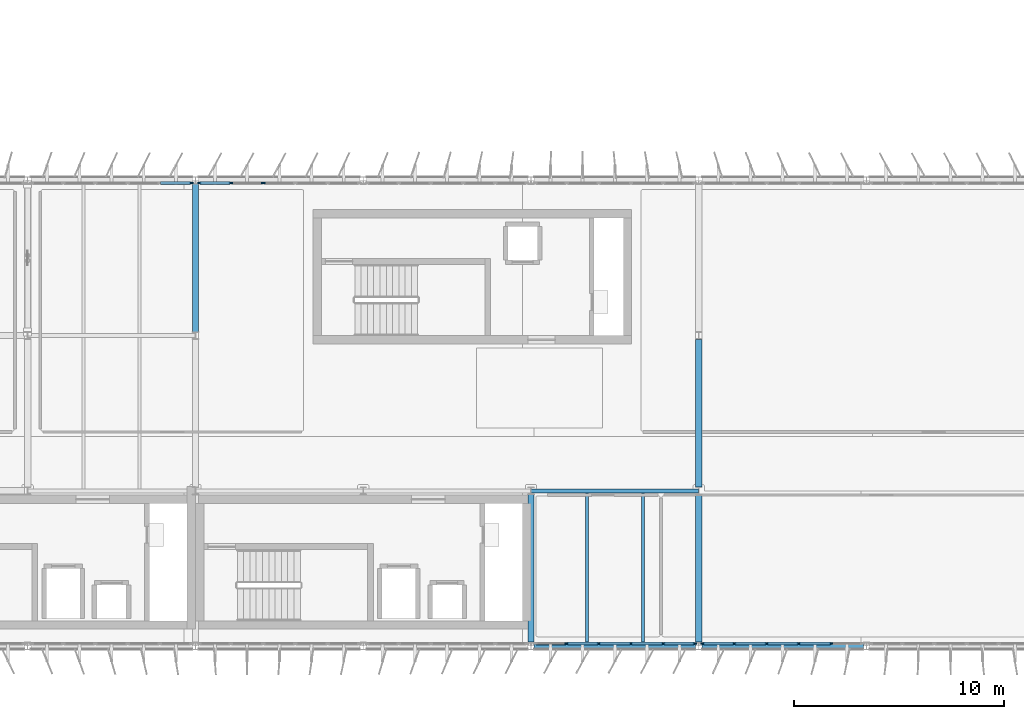
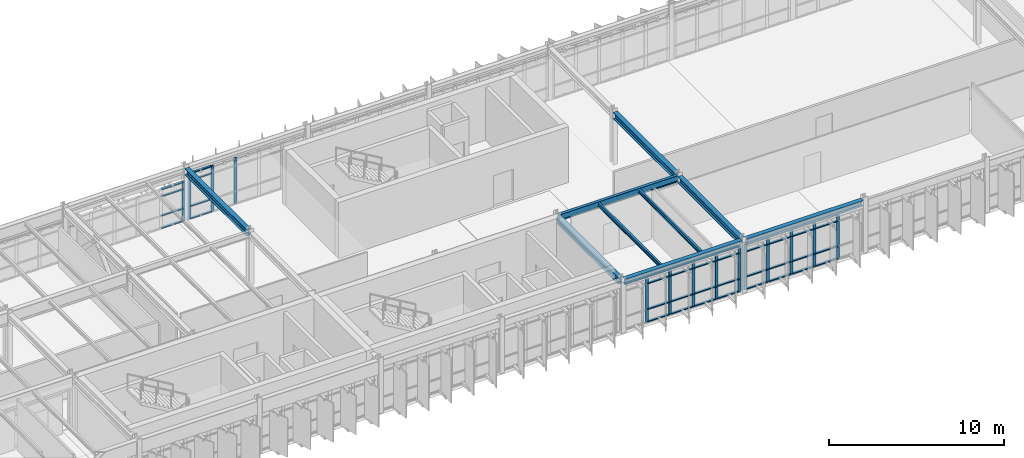
# One storey, part 12 of 45: 55 members, 9 beams, 4 elements without a shape of their own.
"""IFC4 building model written with IfcOpenShell, lengths in metres."""

import ifcopenshell
import ifcopenshell.guid

model = None  # the IFC model being written
_history = None  # IfcOwnerHistory: only IFC2X3 demands one
_inside = {}  # id of a spatial element -> (the spatial element, [elements in it])
_under = {}  # id of a project, library or spatial element -> (it, [spatial elements below it])
_declared = {}  # id of a project -> (the project, [libraries it declares])
_typed = {}  # id of a type object -> (the type object, [elements of that type])
_made_of = {}  # id of a material, layer set ... -> (it, [elements and type objects made of it])


def new_model(schema):
    """Start an empty IFC model of exactly this schema.

    Asked for "IFC4X3", IfcOpenShell would pick the latest addendum, in which some entities
    have other attributes; the version numbers below select the first issue.
    IFC2X3 requires an IfcOwnerHistory on every rooted entity: one is made here for all.
    """
    global model, _history
    if schema == "IFC4X3":
        model = ifcopenshell.file(schema_version=(4, 3, 0, 0))
    else:
        model = ifcopenshell.file(schema=schema)
    _inside.clear()
    _under.clear()
    _declared.clear()
    _typed.clear()
    _made_of.clear()
    _history = None
    if model.schema == "IFC2X3":
        org = make("IfcOrganization", Name="unknown")
        user = make(
            "IfcPersonAndOrganization",
            ThePerson=make("IfcPerson", FamilyName="unknown"),
            TheOrganization=org,
        )
        app = make(
            "IfcApplication",
            ApplicationDeveloper=org,
            Version="unknown",
            ApplicationFullName="unknown",
            ApplicationIdentifier="unknown",
        )
        _history = make(
            "IfcOwnerHistory",
            OwningUser=user,
            OwningApplication=app,
            ChangeAction="ADDED",
            CreationDate=0,
        )
    return model


def make(cls, **values):
    """One entity of the class cls with the attributes given. An attribute that is None is left unset."""
    return model.create_entity(
        cls, **{name: value for name, value in values.items() if value is not None}
    )


def rooted(cls, **values):
    """An entity with a GlobalId (a new one), such as an element, a storey or a relation."""
    return make(cls, GlobalId=ifcopenshell.guid.new(), OwnerHistory=_history, **values)


def si_unit(unit_type, name, prefix=None):
    """IfcSIUnit, for example si_unit("LENGTHUNIT", "METRE", prefix="MILLI")."""
    return make("IfcSIUnit", UnitType=unit_type, Prefix=prefix, Name=name)


def assignment(units):
    """IfcUnitAssignment: the units of a project."""
    return None if units is None else make("IfcUnitAssignment", Units=units)


def point(xyz):
    """IfcCartesianPoint."""
    return None if xyz is None else make("IfcCartesianPoint", Coordinates=xyz)


def direction(xyz):
    """IfcDirection."""
    return None if xyz is None else make("IfcDirection", DirectionRatios=xyz)


def frame(location, z_axis=None, x_axis=None):
    """IfcAxis2Placement3D, a coordinate frame: its origin and axes. An axis left out is left unset."""
    return make(
        "IfcAxis2Placement3D",
        Location=point(location),
        Axis=direction(z_axis),
        RefDirection=direction(x_axis),
    )


def frame_2d(location, x_axis=None):
    """IfcAxis2Placement2D, a coordinate frame in the plane: its origin and x axis."""
    return make(
        "IfcAxis2Placement2D", Location=point(location), RefDirection=direction(x_axis)
    )


def origin():
    """The frame at (0, 0, 0) with its axes left unset."""
    return frame((0.0, 0.0, 0.0))


def origin_2d():
    """The frame at (0, 0) in the plane with its x axis left unset."""
    return frame_2d((0.0, 0.0))


def place(relative_to, where):
    """IfcLocalPlacement: puts the frame where relative to a parent placement (None: the world)."""
    return make(
        "IfcLocalPlacement", PlacementRelTo=relative_to, RelativePlacement=where
    )


def context(
    kind, dimensions, precision=None, world=None, true_north=None, identifier=None
):
    """IfcGeometricRepresentationContext, for example the 3D "Model" context."""
    return make(
        "IfcGeometricRepresentationContext",
        ContextIdentifier=identifier,
        ContextType=kind,
        CoordinateSpaceDimension=dimensions,
        Precision=precision,
        WorldCoordinateSystem=world,
        TrueNorth=true_north,
    )


def subcontext(parent, identifier, kind, view, scale=None):
    """IfcGeometricRepresentationSubContext, for example "Body" below "Model"."""
    return make(
        "IfcGeometricRepresentationSubContext",
        ContextIdentifier=identifier,
        ContextType=kind,
        ParentContext=parent,
        TargetScale=scale,
        TargetView=view,
    )


def project(units=None, contexts=None):
    """IfcProject with its units and contexts."""
    return rooted(
        "IfcProject",
        Name="project",
        RepresentationContexts=contexts,
        UnitsInContext=assignment(units),
    )


def spatial(cls, under=None, at=None, **own):
    """A site, building, storey or space (cls), placed at a placement, below another one or the project."""
    s = rooted(cls, ObjectPlacement=at, **own)
    if under is not None:
        _under.setdefault(under.id(), (under, []))[1].append(s)
    return s


def profile(cls, at=None, kind="AREA", **sizes):
    """A parametric profile (cls). Its sizes go by their IFC names, for example OverallWidth=200.0."""
    return make(cls, ProfileType=kind, Position=at, **sizes)


def rectangle(**sizes):
    """IfcRectangleProfileDef."""
    return profile("IfcRectangleProfileDef", **sizes)


def i_section(**sizes):
    """IfcIShapeProfileDef."""
    return profile("IfcIShapeProfileDef", **sizes)


def extrude(swept, where, along, depth):
    """IfcExtrudedAreaSolid: the profile swept, set in the frame where, extruded along a direction by depth."""
    return make(
        "IfcExtrudedAreaSolid",
        SweptArea=swept,
        Position=where,
        ExtrudedDirection=direction(along),
        Depth=depth,
    )


def shape(context_of_items, identifier, shape_type, items):
    """IfcShapeRepresentation: the items that make up one representation, for example the "Body"."""
    return make(
        "IfcShapeRepresentation",
        ContextOfItems=context_of_items,
        RepresentationIdentifier=identifier,
        RepresentationType=shape_type,
        Items=items,
    )


def material(Name=None, Category=None):
    """IfcMaterial."""
    return make("IfcMaterial", Name=Name, Category=Category)


def layer(
    of_material, thickness, ventilated=None, Name=None, Category=None, Priority=None
):
    """IfcMaterialLayer: one layer of a wall or slab, of a material (None: an air gap)."""
    return make(
        "IfcMaterialLayer",
        Material=of_material,
        LayerThickness=thickness,
        IsVentilated=ventilated,
        Name=Name,
        Category=Category,
        Priority=Priority,
    )


def layer_set(layers, Name=None):
    """IfcMaterialLayerSet."""
    return make("IfcMaterialLayerSet", MaterialLayers=layers, LayerSetName=Name)


def material_profile(
    of_material, cross_section, Name=None, Category=None, Priority=None
):
    """IfcMaterialProfile: a cross section and its material."""
    return make(
        "IfcMaterialProfile",
        Name=Name,
        Material=of_material,
        Profile=cross_section,
        Priority=Priority,
        Category=Category,
    )


def profile_set(profiles, Name=None, composite=None):
    """IfcMaterialProfileSet."""
    return make(
        "IfcMaterialProfileSet",
        Name=Name,
        MaterialProfiles=profiles,
        CompositeProfile=composite,
    )


def made_of(thing, what):
    """Note that an element or type object is made of a material, layer set ...; save() writes the relation."""
    if what is not None:
        _made_of.setdefault(what.id(), (what, []))[1].append(thing)
    return thing


def type_object(cls, material=None, **own):
    """A type object (cls), such as IfcWallType, which elements share."""
    return made_of(rooted(cls, **own), material)


def element(
    cls,
    number,
    at=None,
    inside=None,
    cuts=None,
    type_object=None,
    material=None,
    context=None,
    identifier="Body",
    shape_type=None,
    held_by="IfcProductDefinitionShape",
    body=None,
    shapes=None,
    **own,
):
    """One element of the class cls, such as IfcWall. Its Tag is "e" and its number.

    at: its placement. inside: the storey or other place that contains it. cuts: it is an
    opening in that element (IfcRelVoidsElement). A single representation is given by context,
    identifier, shape_type and body (its items); several are given by shapes. held_by: the class
    of the entity that holds the representations. save() writes the other relations.
    """
    e = rooted(cls, Tag="e%d" % number, ObjectPlacement=at, **own)
    if body is not None:
        shapes = [shape(context, identifier, shape_type, body)]
    if shapes is not None:
        e.Representation = make(held_by, Representations=shapes)
    if inside is not None:
        _inside.setdefault(inside.id(), (inside, []))[1].append(e)
    if cuts is not None:
        rooted(
            "IfcRelVoidsElement", RelatingBuildingElement=cuts, RelatedOpeningElement=e
        )
    if type_object is not None:
        _typed.setdefault(type_object.id(), (type_object, []))[1].append(e)
    return made_of(e, material)


def aggregate(whole, parts):
    """IfcRelAggregates: a whole, such as a stair, and the parts it consists of."""
    return rooted("IfcRelAggregates", RelatingObject=whole, RelatedObjects=parts)


def save(model, path):
    """Write the relations noted so far, then the file.

    IfcRelAggregates (storeys below a building ...), IfcRelContainedInSpatialStructure (elements
    in a storey), IfcRelDefinesByType, IfcRelAssociatesMaterial and IfcRelDeclares: one each for
    every whole, place, type object, material and project.
    """
    for whole, parts in _under.values():
        aggregate(whole, parts)
    for where, things in _inside.values():
        rooted(
            "IfcRelContainedInSpatialStructure",
            RelatedElements=things,
            RelatingStructure=where,
        )
    for kind, things in _typed.values():
        rooted("IfcRelDefinesByType", RelatedObjects=things, RelatingType=kind)
    for what, things in _made_of.values():
        rooted("IfcRelAssociatesMaterial", RelatedObjects=things, RelatingMaterial=what)
    for by, libraries in _declared.values():
        rooted("IfcRelDeclares", RelatingContext=by, RelatedDefinitions=libraries)
    model.write(path)


model = new_model("IFC4")

# Units and contexts
model_context = context("Model", 3, precision=1e-05, world=origin(), true_north=direction((0.0, 1.0)))
body_context = subcontext(model_context, "Body", "Model", "MODEL_VIEW")
ifc_project = project(units=[si_unit("LENGTHUNIT", "METRE"), si_unit("AREAUNIT", "SQUARE_METRE"), si_unit("VOLUMEUNIT", "CUBIC_METRE"), si_unit("PLANEANGLEUNIT", "RADIAN"), si_unit("MASSUNIT", "GRAM", prefix="KILO")], contexts=[model_context])

# Site, building, storey
site_placement = place(None, origin())
site = spatial("IfcSite", under=ifc_project, at=site_placement, CompositionType="ELEMENT")
building_placement = place(site_placement, origin())
building = spatial("IfcBuilding", under=site, at=building_placement, Name="Valkorina Park Police Headquarters", CompositionType="ELEMENT")
storey_placement = place(building_placement, frame((0.0, 0.0, 23.300048828125)))
storey = spatial("IfcBuildingStorey", under=building, at=storey_placement, Name="L06", CompositionType="ELEMENT", Elevation=23.300048828125)

# Beams
ifc_material_1 = material(Name="Steel S355", Category="steel")
ifc_material_profile_1 = material_profile(ifc_material_1, i_section(OverallWidth=0.300048828125, OverallDepth=0.389892578125, WebThickness=0.010986328125, FlangeThickness=0.01904296875, FilletRadius=0.027099609375, at=origin_2d()), Name="HEA 400")
ifc_profile_set_1 = profile_set([ifc_material_profile_1], Name="Steel S355")
beam_type_1 = type_object("IfcBeamType", Name="BM-S355-HEA400-SPN", PredefinedType="SPANDREL", material=ifc_profile_set_1)
for number, where, z_axis, x_axis, name in (
    (1, (48.949951171875, 37.0, 3.48486328125), (1.0, 0.0, 0.0), (0.0, 1.0, 0.0), "L06 Framing Beam 2608"),
    (2, (56.949951171875, 37.0, 3.48486328125), (1.0, 0.0, 0.0), (0.0, 1.0, 0.0), "L06 Framing Beam 2609"),
):
    element("IfcBeam", number, at=place(storey_placement, frame(where, z_axis=z_axis, x_axis=x_axis)), inside=storey, type_object=beam_type_1, Name=name, PredefinedType="SPANDREL", context=body_context, shape_type="SweptSolid", body=[
        extrude(i_section(OverallWidth=0.300048828125, OverallDepth=0.389892578125, WebThickness=0.010986328125, FlangeThickness=0.01904296875, FilletRadius=0.027099609375, at=origin_2d()), origin(), (0.0, 0.0, 1.0), 7.699951171875),
    ])
ifc_material_profile_2 = material_profile(ifc_material_1, i_section(OverallWidth=0.300048828125, OverallDepth=0.449951171875, WebThickness=0.013916015625, FlangeThickness=0.02587890625, FilletRadius=0.027099609375, at=origin_2d()), Name="HEB 450")
ifc_profile_set_2 = profile_set([ifc_material_profile_2], Name="Steel S355")
beam_type_2 = type_object("IfcBeamType", Name="BM-S355-HEB450-BM", PredefinedType="BEAM", material=ifc_profile_set_2)
for number, where, z_axis, x_axis, name in (
    (3, (32.800048828125, 51.97998046875, 3.454833984375), (0.0, 1.0, 0.0), (-1.0, 0.0, 0.0), "L06 Framing Beam 2688"),
    (4, (48.800048828125, 37.179931640625, 3.454833984375), (0.0, 1.0, 0.0), (-1.0, 0.0, 0.0), "L06 Framing Beam 2689"),
    (5, (56.800048828125, 37.179931640625, 3.454833984375), (0.0, 1.0, 0.0), (-1.0, 0.0, 0.0), "L06 Framing Beam 2692"),
    (6, (56.800048828125, 44.580078125, 3.454833984375), (0.0, 1.0, 0.0), (-1.0, 0.0, 0.0), "L06 Framing Beam 2693"),
):
    element("IfcBeam", number, at=place(storey_placement, frame(where, z_axis=z_axis, x_axis=x_axis)), inside=storey, type_object=beam_type_2, Name=name, PredefinedType="BEAM", context=body_context, shape_type="SweptSolid", body=[
        extrude(i_section(OverallWidth=0.300048828125, OverallDepth=0.449951171875, WebThickness=0.013916015625, FlangeThickness=0.02587890625, FilletRadius=0.027099609375, at=origin_2d()), origin(), (0.0, 0.0, 1.0), 7.0400390625),
    ])
ifc_material_profile_3 = material_profile(ifc_material_1, i_section(OverallWidth=0.135009765625, OverallDepth=0.27001953125, WebThickness=0.006591796875, FlangeThickness=0.01025390625, FilletRadius=0.014892578125, at=origin_2d()), Name="IPE 270")
ifc_profile_set_3 = profile_set([ifc_material_profile_3], Name="Steel S355")
beam_type_3 = type_object("IfcBeamType", Name="BM-S355-IPE270-JST", PredefinedType="JOIST", material=ifc_profile_set_3)
for number, where, z_axis, x_axis, name in (
    (7, (51.466796875, 37.14990234375, 3.544921875), (0.0, 1.0, 0.0), (-1.0, 0.0, 0.0), "L06 Framing Beam 2690"),
    (8, (54.13330078125, 37.14990234375, 3.544921875), (0.0, 1.0, 0.0), (-1.0, 0.0, 0.0), "L06 Framing Beam 2691"),
):
    element("IfcBeam", number, at=place(storey_placement, frame(where, z_axis=z_axis, x_axis=x_axis)), inside=storey, type_object=beam_type_3, Name=name, PredefinedType="JOIST", context=body_context, shape_type="SweptSolid", body=[
        extrude(i_section(OverallWidth=0.135009765625, OverallDepth=0.27001953125, WebThickness=0.006591796875, FlangeThickness=0.01025390625, FilletRadius=0.014892578125, at=origin_2d()), origin(), (0.0, 0.0, 1.0), 7.155029296875),
    ])
ifc_material_profile_4 = material_profile(ifc_material_1, i_section(OverallWidth=0.18994140625, OverallDepth=0.449951171875, WebThickness=0.009521484375, FlangeThickness=0.0146484375, FilletRadius=0.02099609375, at=origin_2d()), Name="IPE 450")
ifc_profile_set_4 = profile_set([ifc_material_profile_4], Name="Steel S355")
beam_type_4 = type_object("IfcBeamType", Name="BM-S355-IPE450-BM", PredefinedType="BEAM", material=ifc_profile_set_4)
beam_placement = place(storey_placement, frame((48.806396484375, 44.39990234375, 3.454833984375), z_axis=(1.0, 0.0, 0.0), x_axis=(0.0, 1.0, 0.0)))
element("IfcBeam", 9, at=beam_placement, inside=storey, type_object=beam_type_4, Name="L06 Framing Beam 2620", PredefinedType="BEAM", context=body_context, shape_type="SweptSolid", body=[
    extrude(i_section(OverallWidth=0.18994140625, OverallDepth=0.449951171875, WebThickness=0.009521484375, FlangeThickness=0.0146484375, FilletRadius=0.02099609375, at=origin_2d()), origin(), (0.0, 0.0, 1.0), 7.9873046875),
])

# Curtain wall, member
ifc_material_2 = material(Name="Thermally broken aluminium AW-6060", Category="aluminium")
ifc_layer_1 = layer(ifc_material_2, 0.18994140625)
ifc_layer_set_1 = layer_set([ifc_layer_1], Name="Thermally broken aluminium AW-6060")
curtain_wall_type_1 = type_object("IfcCurtainWallType", Name="CW-V5-7680x2770", PredefinedType="NOTDEFINED", material=ifc_layer_set_1)
curtain_wall_1_placement = place(storey_placement, origin())
curtain_wall_1 = element("IfcCurtainWall", 10, at=curtain_wall_1_placement, inside=storey, type_object=curtain_wall_type_1, Name="L06 Unitised Curtain Wall 103", PredefinedType="NOTDEFINED")
ifc_material_profile_5 = material_profile(ifc_material_2, rectangle(XDim=0.070068359375, YDim=0.18994140625, at=origin_2d()), Name="CWM-02 70x190")
ifc_profile_set_5 = profile_set([ifc_material_profile_5], Name="Thermally broken aluminium AW-6060")
member_type_1 = type_object("IfcMemberType", Name="CWM-70x190", PredefinedType="MULLION", material=ifc_profile_set_5)
member_1_placement = place(storey_placement, frame((32.60498046875, 59.080078125, 0.0), z_axis=(0.0, 0.0, 1.0), x_axis=(0.0, 1.0, 0.0)))
member_1 = element("IfcMember", 11, at=member_1_placement, type_object=member_type_1, Name="CW-V5-768-277 mullion 6", PredefinedType="MULLION", context=body_context, shape_type="SweptSolid", body=[
    extrude(rectangle(XDim=0.070068359375, YDim=0.18994140625, at=origin_2d()), origin(), (0.0, 0.0, 1.0), 2.77001953125),
])

# Curtain wall, members
ifc_layer_2 = layer(ifc_material_2, 0.18994140625)
ifc_layer_set_2 = layer_set([ifc_layer_2], Name="Thermally broken aluminium AW-6060")
curtain_wall_type_2 = type_object("IfcCurtainWallType", Name="CW-V5-7680x3220", PredefinedType="NOTDEFINED", material=ifc_layer_set_2)
curtain_wall_2_placement = place(storey_placement, origin())
curtain_wall_2 = element("IfcCurtainWall", 12, at=curtain_wall_2_placement, inside=storey, type_object=curtain_wall_type_2, Name="L06 Unitised Curtain Wall 104", PredefinedType="NOTDEFINED")
member_2_placement = place(storey_placement, frame((32.9951171875, 59.080078125, 0.0), z_axis=(0.0, 0.0, 1.0), x_axis=(0.0, 1.0, 0.0)))
member_2 = element("IfcMember", 13, at=member_2_placement, type_object=member_type_1, Name="CW-V5-768-322 mullion 1", PredefinedType="MULLION", context=body_context, shape_type="SweptSolid", body=[
    extrude(rectangle(XDim=0.070068359375, YDim=0.18994140625, at=origin_2d()), origin(), (0.0, 0.0, 1.0), 3.219970703125),
])
member_3_placement = place(storey_placement, frame((34.49609375, 59.080078125, 0.0), z_axis=(0.0, 0.0, 1.0), x_axis=(0.0, 1.0, 0.0)))
member_3 = element("IfcMember", 14, at=member_3_placement, type_object=member_type_1, Name="CW-V5-768-322 mullion 2", PredefinedType="MULLION", context=body_context, shape_type="SweptSolid", body=[
    extrude(rectangle(XDim=0.070068359375, YDim=0.18994140625, at=origin_2d()), origin(), (0.0, 0.0, 1.0), 3.219970703125),
])
member_4_placement = place(storey_placement, frame((36.031982421875, 59.080078125, 0.0), z_axis=(0.0, 0.0, 1.0), x_axis=(0.0, 1.0, 0.0)))
member_4 = element("IfcMember", 15, at=member_4_placement, type_object=member_type_1, Name="CW-V5-768-322 mullion 3", PredefinedType="MULLION", context=body_context, shape_type="SweptSolid", body=[
    extrude(rectangle(XDim=0.070068359375, YDim=0.18994140625, at=origin_2d()), origin(), (0.0, 0.0, 1.0), 3.219970703125),
])

ifc_layer_3 = layer(ifc_material_2, 0.18994140625)
ifc_layer_set_3 = layer_set([ifc_layer_3], Name="Thermally broken aluminium AW-6060")
curtain_wall_type_3 = type_object("IfcCurtainWallType", Name="CW-V5-7680x3170", PredefinedType="NOTDEFINED", material=ifc_layer_set_3)
curtain_wall_3_placement = place(storey_placement, origin())
curtain_wall_3 = element("IfcCurtainWall", 16, at=curtain_wall_3_placement, inside=storey, type_object=curtain_wall_type_3, Name="L06 Unitised Curtain Wall 125", PredefinedType="NOTDEFINED")
member_5_placement = place(storey_placement, frame((63.10400390625, 37.1201171875, 0.0), z_axis=(0.0, 0.0, 1.0), x_axis=(0.0, -1.0, 0.0)))
member_5 = element("IfcMember", 17, at=member_5_placement, type_object=member_type_1, Name="CW-V5-768-317 mullion 2", PredefinedType="MULLION", context=body_context, shape_type="SweptSolid", body=[
    extrude(rectangle(XDim=0.070068359375, YDim=0.18994140625, at=origin_2d()), origin(), (0.0, 0.0, 1.0), 3.169921875),
])
member_6_placement = place(storey_placement, frame((61.568115234375, 37.1201171875, 0.0), z_axis=(0.0, 0.0, 1.0), x_axis=(0.0, -1.0, 0.0)))
member_6 = element("IfcMember", 18, at=member_6_placement, type_object=member_type_1, Name="CW-V5-768-317 mullion 3", PredefinedType="MULLION", context=body_context, shape_type="SweptSolid", body=[
    extrude(rectangle(XDim=0.070068359375, YDim=0.18994140625, at=origin_2d()), origin(), (0.0, 0.0, 1.0), 3.169921875),
])
member_7_placement = place(storey_placement, frame((60.031982421875, 37.1201171875, 0.0), z_axis=(0.0, 0.0, 1.0), x_axis=(0.0, -1.0, 0.0)))
member_7 = element("IfcMember", 19, at=member_7_placement, type_object=member_type_1, Name="CW-V5-768-317 mullion 4", PredefinedType="MULLION", context=body_context, shape_type="SweptSolid", body=[
    extrude(rectangle(XDim=0.070068359375, YDim=0.18994140625, at=origin_2d()), origin(), (0.0, 0.0, 1.0), 3.169921875),
])
member_8_placement = place(storey_placement, frame((58.49609375, 37.1201171875, 0.0), z_axis=(0.0, 0.0, 1.0), x_axis=(0.0, -1.0, 0.0)))
member_8 = element("IfcMember", 20, at=member_8_placement, type_object=member_type_1, Name="CW-V5-768-317 mullion 5", PredefinedType="MULLION", context=body_context, shape_type="SweptSolid", body=[
    extrude(rectangle(XDim=0.070068359375, YDim=0.18994140625, at=origin_2d()), origin(), (0.0, 0.0, 1.0), 3.169921875),
])
member_9_placement = place(storey_placement, frame((56.9951171875, 37.1201171875, 0.0), z_axis=(0.0, 0.0, 1.0), x_axis=(0.0, -1.0, 0.0)))
member_9 = element("IfcMember", 21, at=member_9_placement, type_object=member_type_1, Name="CW-V5-768-317 mullion 6", PredefinedType="MULLION", context=body_context, shape_type="SweptSolid", body=[
    extrude(rectangle(XDim=0.070068359375, YDim=0.18994140625, at=origin_2d()), origin(), (0.0, 0.0, 1.0), 3.169921875),
])

curtain_wall_4_placement = place(storey_placement, origin())
curtain_wall_4 = element("IfcCurtainWall", 22, at=curtain_wall_4_placement, inside=storey, type_object=curtain_wall_type_2, Name="L06 Unitised Curtain Wall 126", PredefinedType="NOTDEFINED")
member_10_placement = place(storey_placement, frame((56.60498046875, 37.1201171875, 0.0), z_axis=(0.0, 0.0, 1.0), x_axis=(0.0, -1.0, 0.0)))
member_10 = element("IfcMember", 23, at=member_10_placement, type_object=member_type_1, Name="CW-V5-768-322 mullion 1", PredefinedType="MULLION", context=body_context, shape_type="SweptSolid", body=[
    extrude(rectangle(XDim=0.070068359375, YDim=0.18994140625, at=origin_2d()), origin(), (0.0, 0.0, 1.0), 3.219970703125),
])
member_11_placement = place(storey_placement, frame((55.10400390625, 37.1201171875, 0.0), z_axis=(0.0, 0.0, 1.0), x_axis=(0.0, -1.0, 0.0)))
member_11 = element("IfcMember", 24, at=member_11_placement, type_object=member_type_1, Name="CW-V5-768-322 mullion 2", PredefinedType="MULLION", context=body_context, shape_type="SweptSolid", body=[
    extrude(rectangle(XDim=0.070068359375, YDim=0.18994140625, at=origin_2d()), origin(), (0.0, 0.0, 1.0), 3.219970703125),
])
member_12_placement = place(storey_placement, frame((53.568115234375, 37.1201171875, 0.0), z_axis=(0.0, 0.0, 1.0), x_axis=(0.0, -1.0, 0.0)))
member_12 = element("IfcMember", 25, at=member_12_placement, type_object=member_type_1, Name="CW-V5-768-322 mullion 3", PredefinedType="MULLION", context=body_context, shape_type="SweptSolid", body=[
    extrude(rectangle(XDim=0.070068359375, YDim=0.18994140625, at=origin_2d()), origin(), (0.0, 0.0, 1.0), 3.219970703125),
])
member_13_placement = place(storey_placement, frame((52.031982421875, 37.1201171875, 0.0), z_axis=(0.0, 0.0, 1.0), x_axis=(0.0, -1.0, 0.0)))
member_13 = element("IfcMember", 26, at=member_13_placement, type_object=member_type_1, Name="CW-V5-768-322 mullion 4", PredefinedType="MULLION", context=body_context, shape_type="SweptSolid", body=[
    extrude(rectangle(XDim=0.070068359375, YDim=0.18994140625, at=origin_2d()), origin(), (0.0, 0.0, 1.0), 3.219970703125),
])
member_14_placement = place(storey_placement, frame((50.49609375, 37.1201171875, 0.0), z_axis=(0.0, 0.0, 1.0), x_axis=(0.0, -1.0, 0.0)))
member_14 = element("IfcMember", 27, at=member_14_placement, type_object=member_type_1, Name="CW-V5-768-322 mullion 5", PredefinedType="MULLION", context=body_context, shape_type="SweptSolid", body=[
    extrude(rectangle(XDim=0.070068359375, YDim=0.18994140625, at=origin_2d()), origin(), (0.0, 0.0, 1.0), 3.219970703125),
])

# Member
ifc_material_profile_6 = material_profile(ifc_material_2, rectangle(XDim=0.14990234375, YDim=0.070068359375, at=origin_2d()), Name="CWT-02 150x70")
ifc_profile_set_6 = profile_set([ifc_material_profile_6], Name="Thermally broken aluminium AW-6060")
member_type_2 = type_object("IfcMemberType", Name="CWT-150x70", PredefinedType="USERDEFINED", material=ifc_profile_set_6)
member_15_placement = place(storey_placement, frame((31.138916015625, 59.080078125, 0.034912109375), z_axis=(1.0, 0.0, 0.0), x_axis=(0.0, 1.0, 0.0)))
member_15 = element("IfcMember", 28, at=member_15_placement, type_object=member_type_2, Name="CW-V5-768-277 transom 5.1", ObjectType="TRANSOM", PredefinedType="USERDEFINED", context=body_context, shape_type="SweptSolid", body=[
    extrude(rectangle(XDim=0.14990234375, YDim=0.070068359375, at=origin_2d()), origin(), (0.0, 0.0, 1.0), 1.43115234375),
])

member_16_placement = place(storey_placement, frame((31.138916015625, 59.080078125, 0.89990234375), z_axis=(1.0, 0.0, 0.0), x_axis=(0.0, 1.0, 0.0)))
member_16 = element("IfcMember", 29, at=member_16_placement, type_object=member_type_2, Name="CW-V5-768-277 transom 5.2", ObjectType="TRANSOM", PredefinedType="USERDEFINED", context=body_context, shape_type="SweptSolid", body=[
    extrude(rectangle(XDim=0.14990234375, YDim=0.070068359375, at=origin_2d()), origin(), (0.0, 0.0, 1.0), 1.43115234375),
])

member_17_placement = place(storey_placement, frame((31.138916015625, 59.080078125, 2.25), z_axis=(1.0, 0.0, 0.0), x_axis=(0.0, 1.0, 0.0)))
member_17 = element("IfcMember", 30, at=member_17_placement, type_object=member_type_2, Name="CW-V5-768-277 transom 5.3", ObjectType="TRANSOM", PredefinedType="USERDEFINED", context=body_context, shape_type="SweptSolid", body=[
    extrude(rectangle(XDim=0.14990234375, YDim=0.070068359375, at=origin_2d()), origin(), (0.0, 0.0, 1.0), 1.43115234375),
])

member_18_placement = place(storey_placement, frame((31.138916015625, 59.080078125, 2.73486328125), z_axis=(1.0, 0.0, 0.0), x_axis=(0.0, 1.0, 0.0)))
member_18 = element("IfcMember", 31, at=member_18_placement, type_object=member_type_2, Name="CW-V5-768-277 transom 5.4", ObjectType="TRANSOM", PredefinedType="USERDEFINED", context=body_context, shape_type="SweptSolid", body=[
    extrude(rectangle(XDim=0.14990234375, YDim=0.070068359375, at=origin_2d()), origin(), (0.0, 0.0, 1.0), 1.43115234375),
])

aggregate(curtain_wall_1, [member_1, member_15, member_16, member_17, member_18])

member_19_placement = place(storey_placement, frame((33.030029296875, 59.080078125, 0.034912109375), z_axis=(1.0, 0.0, 0.0), x_axis=(0.0, 1.0, 0.0)))
member_19 = element("IfcMember", 32, at=member_19_placement, type_object=member_type_2, Name="CW-V5-768-322 transom 1.1", ObjectType="TRANSOM", PredefinedType="USERDEFINED", context=body_context, shape_type="SweptSolid", body=[
    extrude(rectangle(XDim=0.14990234375, YDim=0.070068359375, at=origin_2d()), origin(), (0.0, 0.0, 1.0), 1.430908203125),
])

member_20_placement = place(storey_placement, frame((33.030029296875, 59.080078125, 0.89990234375), z_axis=(1.0, 0.0, 0.0), x_axis=(0.0, 1.0, 0.0)))
member_20 = element("IfcMember", 33, at=member_20_placement, type_object=member_type_2, Name="CW-V5-768-322 transom 1.2", ObjectType="TRANSOM", PredefinedType="USERDEFINED", context=body_context, shape_type="SweptSolid", body=[
    extrude(rectangle(XDim=0.14990234375, YDim=0.070068359375, at=origin_2d()), origin(), (0.0, 0.0, 1.0), 1.430908203125),
])

member_21_placement = place(storey_placement, frame((33.030029296875, 59.080078125, 2.699951171875), z_axis=(1.0, 0.0, 0.0), x_axis=(0.0, 1.0, 0.0)))
member_21 = element("IfcMember", 34, at=member_21_placement, type_object=member_type_2, Name="CW-V5-768-322 transom 1.3", ObjectType="TRANSOM", PredefinedType="USERDEFINED", context=body_context, shape_type="SweptSolid", body=[
    extrude(rectangle(XDim=0.14990234375, YDim=0.070068359375, at=origin_2d()), origin(), (0.0, 0.0, 1.0), 1.430908203125),
])

member_22_placement = place(storey_placement, frame((33.030029296875, 59.080078125, 3.18505859375), z_axis=(1.0, 0.0, 0.0), x_axis=(0.0, 1.0, 0.0)))
member_22 = element("IfcMember", 35, at=member_22_placement, type_object=member_type_2, Name="CW-V5-768-322 transom 1.4", ObjectType="TRANSOM", PredefinedType="USERDEFINED", context=body_context, shape_type="SweptSolid", body=[
    extrude(rectangle(XDim=0.14990234375, YDim=0.070068359375, at=origin_2d()), origin(), (0.0, 0.0, 1.0), 1.430908203125),
])

aggregate(curtain_wall_2, [member_2, member_3, member_4, member_19, member_20, member_21, member_22])

member_23_placement = place(storey_placement, frame((63.069091796875, 37.1201171875, 0.034912109375), z_axis=(-1.0, 0.0, 0.0), x_axis=(0.0, -1.0, 0.0)))
member_23 = element("IfcMember", 36, at=member_23_placement, type_object=member_type_2, Name="CW-V5-768-317 transom 2.1", ObjectType="TRANSOM", PredefinedType="USERDEFINED", context=body_context, shape_type="SweptSolid", body=[
    extrude(rectangle(XDim=0.14990234375, YDim=0.070068359375, at=origin_2d()), origin(), (0.0, 0.0, 1.0), 1.466064453125),
])

member_24_placement = place(storey_placement, frame((63.069091796875, 37.1201171875, 0.89990234375), z_axis=(-1.0, 0.0, 0.0), x_axis=(0.0, -1.0, 0.0)))
member_24 = element("IfcMember", 37, at=member_24_placement, type_object=member_type_2, Name="CW-V5-768-317 transom 2.2", ObjectType="TRANSOM", PredefinedType="USERDEFINED", context=body_context, shape_type="SweptSolid", body=[
    extrude(rectangle(XDim=0.14990234375, YDim=0.070068359375, at=origin_2d()), origin(), (0.0, 0.0, 1.0), 1.466064453125),
])

member_25_placement = place(storey_placement, frame((63.069091796875, 37.1201171875, 2.64990234375), z_axis=(-1.0, 0.0, 0.0), x_axis=(0.0, -1.0, 0.0)))
member_25 = element("IfcMember", 38, at=member_25_placement, type_object=member_type_2, Name="CW-V5-768-317 transom 2.3", ObjectType="TRANSOM", PredefinedType="USERDEFINED", context=body_context, shape_type="SweptSolid", body=[
    extrude(rectangle(XDim=0.14990234375, YDim=0.070068359375, at=origin_2d()), origin(), (0.0, 0.0, 1.0), 1.466064453125),
])

member_26_placement = place(storey_placement, frame((63.069091796875, 37.1201171875, 3.135009765625), z_axis=(-1.0, 0.0, 0.0), x_axis=(0.0, -1.0, 0.0)))
member_26 = element("IfcMember", 39, at=member_26_placement, type_object=member_type_2, Name="CW-V5-768-317 transom 2.4", ObjectType="TRANSOM", PredefinedType="USERDEFINED", context=body_context, shape_type="SweptSolid", body=[
    extrude(rectangle(XDim=0.14990234375, YDim=0.070068359375, at=origin_2d()), origin(), (0.0, 0.0, 1.0), 1.466064453125),
])

member_27_placement = place(storey_placement, frame((61.532958984375, 37.1201171875, 0.034912109375), z_axis=(-1.0, 0.0, 0.0), x_axis=(0.0, -1.0, 0.0)))
member_27 = element("IfcMember", 40, at=member_27_placement, type_object=member_type_2, Name="CW-V5-768-317 transom 3.1", ObjectType="TRANSOM", PredefinedType="USERDEFINED", context=body_context, shape_type="SweptSolid", body=[
    extrude(rectangle(XDim=0.14990234375, YDim=0.070068359375, at=origin_2d()), origin(), (0.0, 0.0, 1.0), 1.466064453125),
])

member_28_placement = place(storey_placement, frame((61.532958984375, 37.1201171875, 0.89990234375), z_axis=(-1.0, 0.0, 0.0), x_axis=(0.0, -1.0, 0.0)))
member_28 = element("IfcMember", 41, at=member_28_placement, type_object=member_type_2, Name="CW-V5-768-317 transom 3.2", ObjectType="TRANSOM", PredefinedType="USERDEFINED", context=body_context, shape_type="SweptSolid", body=[
    extrude(rectangle(XDim=0.14990234375, YDim=0.070068359375, at=origin_2d()), origin(), (0.0, 0.0, 1.0), 1.466064453125),
])

member_29_placement = place(storey_placement, frame((61.532958984375, 37.1201171875, 2.64990234375), z_axis=(-1.0, 0.0, 0.0), x_axis=(0.0, -1.0, 0.0)))
member_29 = element("IfcMember", 42, at=member_29_placement, type_object=member_type_2, Name="CW-V5-768-317 transom 3.3", ObjectType="TRANSOM", PredefinedType="USERDEFINED", context=body_context, shape_type="SweptSolid", body=[
    extrude(rectangle(XDim=0.14990234375, YDim=0.070068359375, at=origin_2d()), origin(), (0.0, 0.0, 1.0), 1.466064453125),
])

member_30_placement = place(storey_placement, frame((61.532958984375, 37.1201171875, 3.135009765625), z_axis=(-1.0, 0.0, 0.0), x_axis=(0.0, -1.0, 0.0)))
member_30 = element("IfcMember", 43, at=member_30_placement, type_object=member_type_2, Name="CW-V5-768-317 transom 3.4", ObjectType="TRANSOM", PredefinedType="USERDEFINED", context=body_context, shape_type="SweptSolid", body=[
    extrude(rectangle(XDim=0.14990234375, YDim=0.070068359375, at=origin_2d()), origin(), (0.0, 0.0, 1.0), 1.466064453125),
])

member_31_placement = place(storey_placement, frame((59.9970703125, 37.1201171875, 0.034912109375), z_axis=(-1.0, 0.0, 0.0), x_axis=(0.0, -1.0, 0.0)))
member_31 = element("IfcMember", 44, at=member_31_placement, type_object=member_type_2, Name="CW-V5-768-317 transom 4.1", ObjectType="TRANSOM", PredefinedType="USERDEFINED", context=body_context, shape_type="SweptSolid", body=[
    extrude(rectangle(XDim=0.14990234375, YDim=0.070068359375, at=origin_2d()), origin(), (0.0, 0.0, 1.0), 1.466064453125),
])

member_32_placement = place(storey_placement, frame((59.9970703125, 37.1201171875, 0.89990234375), z_axis=(-1.0, 0.0, 0.0), x_axis=(0.0, -1.0, 0.0)))
member_32 = element("IfcMember", 45, at=member_32_placement, type_object=member_type_2, Name="CW-V5-768-317 transom 4.2", ObjectType="TRANSOM", PredefinedType="USERDEFINED", context=body_context, shape_type="SweptSolid", body=[
    extrude(rectangle(XDim=0.14990234375, YDim=0.070068359375, at=origin_2d()), origin(), (0.0, 0.0, 1.0), 1.466064453125),
])

member_33_placement = place(storey_placement, frame((59.9970703125, 37.1201171875, 2.64990234375), z_axis=(-1.0, 0.0, 0.0), x_axis=(0.0, -1.0, 0.0)))
member_33 = element("IfcMember", 46, at=member_33_placement, type_object=member_type_2, Name="CW-V5-768-317 transom 4.3", ObjectType="TRANSOM", PredefinedType="USERDEFINED", context=body_context, shape_type="SweptSolid", body=[
    extrude(rectangle(XDim=0.14990234375, YDim=0.070068359375, at=origin_2d()), origin(), (0.0, 0.0, 1.0), 1.466064453125),
])

member_34_placement = place(storey_placement, frame((59.9970703125, 37.1201171875, 3.135009765625), z_axis=(-1.0, 0.0, 0.0), x_axis=(0.0, -1.0, 0.0)))
member_34 = element("IfcMember", 47, at=member_34_placement, type_object=member_type_2, Name="CW-V5-768-317 transom 4.4", ObjectType="TRANSOM", PredefinedType="USERDEFINED", context=body_context, shape_type="SweptSolid", body=[
    extrude(rectangle(XDim=0.14990234375, YDim=0.070068359375, at=origin_2d()), origin(), (0.0, 0.0, 1.0), 1.466064453125),
])

member_35_placement = place(storey_placement, frame((58.4609375, 37.1201171875, 0.034912109375), z_axis=(-1.0, 0.0, 0.0), x_axis=(0.0, -1.0, 0.0)))
member_35 = element("IfcMember", 48, at=member_35_placement, type_object=member_type_2, Name="CW-V5-768-317 transom 5.1", ObjectType="TRANSOM", PredefinedType="USERDEFINED", context=body_context, shape_type="SweptSolid", body=[
    extrude(rectangle(XDim=0.14990234375, YDim=0.070068359375, at=origin_2d()), origin(), (0.0, 0.0, 1.0), 1.430908203125),
])

member_36_placement = place(storey_placement, frame((58.4609375, 37.1201171875, 0.89990234375), z_axis=(-1.0, 0.0, 0.0), x_axis=(0.0, -1.0, 0.0)))
member_36 = element("IfcMember", 49, at=member_36_placement, type_object=member_type_2, Name="CW-V5-768-317 transom 5.2", ObjectType="TRANSOM", PredefinedType="USERDEFINED", context=body_context, shape_type="SweptSolid", body=[
    extrude(rectangle(XDim=0.14990234375, YDim=0.070068359375, at=origin_2d()), origin(), (0.0, 0.0, 1.0), 1.430908203125),
])

member_37_placement = place(storey_placement, frame((58.4609375, 37.1201171875, 2.64990234375), z_axis=(-1.0, 0.0, 0.0), x_axis=(0.0, -1.0, 0.0)))
member_37 = element("IfcMember", 50, at=member_37_placement, type_object=member_type_2, Name="CW-V5-768-317 transom 5.3", ObjectType="TRANSOM", PredefinedType="USERDEFINED", context=body_context, shape_type="SweptSolid", body=[
    extrude(rectangle(XDim=0.14990234375, YDim=0.070068359375, at=origin_2d()), origin(), (0.0, 0.0, 1.0), 1.430908203125),
])

member_38_placement = place(storey_placement, frame((58.4609375, 37.1201171875, 3.135009765625), z_axis=(-1.0, 0.0, 0.0), x_axis=(0.0, -1.0, 0.0)))
member_38 = element("IfcMember", 51, at=member_38_placement, type_object=member_type_2, Name="CW-V5-768-317 transom 5.4", ObjectType="TRANSOM", PredefinedType="USERDEFINED", context=body_context, shape_type="SweptSolid", body=[
    extrude(rectangle(XDim=0.14990234375, YDim=0.070068359375, at=origin_2d()), origin(), (0.0, 0.0, 1.0), 1.430908203125),
])

aggregate(curtain_wall_3, [member_5, member_6, member_7, member_8, member_9, member_23, member_24, member_25, member_26, member_27, member_28, member_29, member_30, member_31, member_32, member_33, member_34, member_35, member_36, member_37, member_38])

member_39_placement = place(storey_placement, frame((56.570068359375, 37.1201171875, 0.034912109375), z_axis=(-1.0, 0.0, 0.0), x_axis=(0.0, -1.0, 0.0)))
member_39 = element("IfcMember", 52, at=member_39_placement, type_object=member_type_2, Name="CW-V5-768-322 transom 1.1", ObjectType="TRANSOM", PredefinedType="USERDEFINED", context=body_context, shape_type="SweptSolid", body=[
    extrude(rectangle(XDim=0.14990234375, YDim=0.070068359375, at=origin_2d()), origin(), (0.0, 0.0, 1.0), 1.43115234375),
])

member_40_placement = place(storey_placement, frame((56.570068359375, 37.1201171875, 0.89990234375), z_axis=(-1.0, 0.0, 0.0), x_axis=(0.0, -1.0, 0.0)))
member_40 = element("IfcMember", 53, at=member_40_placement, type_object=member_type_2, Name="CW-V5-768-322 transom 1.2", ObjectType="TRANSOM", PredefinedType="USERDEFINED", context=body_context, shape_type="SweptSolid", body=[
    extrude(rectangle(XDim=0.14990234375, YDim=0.070068359375, at=origin_2d()), origin(), (0.0, 0.0, 1.0), 1.43115234375),
])

member_41_placement = place(storey_placement, frame((56.570068359375, 37.1201171875, 2.699951171875), z_axis=(-1.0, 0.0, 0.0), x_axis=(0.0, -1.0, 0.0)))
member_41 = element("IfcMember", 54, at=member_41_placement, type_object=member_type_2, Name="CW-V5-768-322 transom 1.3", ObjectType="TRANSOM", PredefinedType="USERDEFINED", context=body_context, shape_type="SweptSolid", body=[
    extrude(rectangle(XDim=0.14990234375, YDim=0.070068359375, at=origin_2d()), origin(), (0.0, 0.0, 1.0), 1.43115234375),
])

member_42_placement = place(storey_placement, frame((56.570068359375, 37.1201171875, 3.18505859375), z_axis=(-1.0, 0.0, 0.0), x_axis=(0.0, -1.0, 0.0)))
member_42 = element("IfcMember", 55, at=member_42_placement, type_object=member_type_2, Name="CW-V5-768-322 transom 1.4", ObjectType="TRANSOM", PredefinedType="USERDEFINED", context=body_context, shape_type="SweptSolid", body=[
    extrude(rectangle(XDim=0.14990234375, YDim=0.070068359375, at=origin_2d()), origin(), (0.0, 0.0, 1.0), 1.43115234375),
])

member_43_placement = place(storey_placement, frame((55.069091796875, 37.1201171875, 0.034912109375), z_axis=(-1.0, 0.0, 0.0), x_axis=(0.0, -1.0, 0.0)))
member_43 = element("IfcMember", 56, at=member_43_placement, type_object=member_type_2, Name="CW-V5-768-322 transom 2.1", ObjectType="TRANSOM", PredefinedType="USERDEFINED", context=body_context, shape_type="SweptSolid", body=[
    extrude(rectangle(XDim=0.14990234375, YDim=0.070068359375, at=origin_2d()), origin(), (0.0, 0.0, 1.0), 1.466064453125),
])

member_44_placement = place(storey_placement, frame((55.069091796875, 37.1201171875, 0.89990234375), z_axis=(-1.0, 0.0, 0.0), x_axis=(0.0, -1.0, 0.0)))
member_44 = element("IfcMember", 57, at=member_44_placement, type_object=member_type_2, Name="CW-V5-768-322 transom 2.2", ObjectType="TRANSOM", PredefinedType="USERDEFINED", context=body_context, shape_type="SweptSolid", body=[
    extrude(rectangle(XDim=0.14990234375, YDim=0.070068359375, at=origin_2d()), origin(), (0.0, 0.0, 1.0), 1.466064453125),
])

member_45_placement = place(storey_placement, frame((55.069091796875, 37.1201171875, 2.699951171875), z_axis=(-1.0, 0.0, 0.0), x_axis=(0.0, -1.0, 0.0)))
member_45 = element("IfcMember", 58, at=member_45_placement, type_object=member_type_2, Name="CW-V5-768-322 transom 2.3", ObjectType="TRANSOM", PredefinedType="USERDEFINED", context=body_context, shape_type="SweptSolid", body=[
    extrude(rectangle(XDim=0.14990234375, YDim=0.070068359375, at=origin_2d()), origin(), (0.0, 0.0, 1.0), 1.466064453125),
])

member_46_placement = place(storey_placement, frame((55.069091796875, 37.1201171875, 3.18505859375), z_axis=(-1.0, 0.0, 0.0), x_axis=(0.0, -1.0, 0.0)))
member_46 = element("IfcMember", 59, at=member_46_placement, type_object=member_type_2, Name="CW-V5-768-322 transom 2.4", ObjectType="TRANSOM", PredefinedType="USERDEFINED", context=body_context, shape_type="SweptSolid", body=[
    extrude(rectangle(XDim=0.14990234375, YDim=0.070068359375, at=origin_2d()), origin(), (0.0, 0.0, 1.0), 1.466064453125),
])

member_47_placement = place(storey_placement, frame((53.532958984375, 37.1201171875, 0.034912109375), z_axis=(-1.0, 0.0, 0.0), x_axis=(0.0, -1.0, 0.0)))
member_47 = element("IfcMember", 60, at=member_47_placement, type_object=member_type_2, Name="CW-V5-768-322 transom 3.1", ObjectType="TRANSOM", PredefinedType="USERDEFINED", context=body_context, shape_type="SweptSolid", body=[
    extrude(rectangle(XDim=0.14990234375, YDim=0.070068359375, at=origin_2d()), origin(), (0.0, 0.0, 1.0), 1.466064453125),
])

member_48_placement = place(storey_placement, frame((53.532958984375, 37.1201171875, 0.89990234375), z_axis=(-1.0, 0.0, 0.0), x_axis=(0.0, -1.0, 0.0)))
member_48 = element("IfcMember", 61, at=member_48_placement, type_object=member_type_2, Name="CW-V5-768-322 transom 3.2", ObjectType="TRANSOM", PredefinedType="USERDEFINED", context=body_context, shape_type="SweptSolid", body=[
    extrude(rectangle(XDim=0.14990234375, YDim=0.070068359375, at=origin_2d()), origin(), (0.0, 0.0, 1.0), 1.466064453125),
])

member_49_placement = place(storey_placement, frame((53.532958984375, 37.1201171875, 2.699951171875), z_axis=(-1.0, 0.0, 0.0), x_axis=(0.0, -1.0, 0.0)))
member_49 = element("IfcMember", 62, at=member_49_placement, type_object=member_type_2, Name="CW-V5-768-322 transom 3.3", ObjectType="TRANSOM", PredefinedType="USERDEFINED", context=body_context, shape_type="SweptSolid", body=[
    extrude(rectangle(XDim=0.14990234375, YDim=0.070068359375, at=origin_2d()), origin(), (0.0, 0.0, 1.0), 1.466064453125),
])

member_50_placement = place(storey_placement, frame((53.532958984375, 37.1201171875, 3.18505859375), z_axis=(-1.0, 0.0, 0.0), x_axis=(0.0, -1.0, 0.0)))
member_50 = element("IfcMember", 63, at=member_50_placement, type_object=member_type_2, Name="CW-V5-768-322 transom 3.4", ObjectType="TRANSOM", PredefinedType="USERDEFINED", context=body_context, shape_type="SweptSolid", body=[
    extrude(rectangle(XDim=0.14990234375, YDim=0.070068359375, at=origin_2d()), origin(), (0.0, 0.0, 1.0), 1.466064453125),
])

member_51_placement = place(storey_placement, frame((51.9970703125, 37.1201171875, 0.034912109375), z_axis=(-1.0, 0.0, 0.0), x_axis=(0.0, -1.0, 0.0)))
member_51 = element("IfcMember", 64, at=member_51_placement, type_object=member_type_2, Name="CW-V5-768-322 transom 4.1", ObjectType="TRANSOM", PredefinedType="USERDEFINED", context=body_context, shape_type="SweptSolid", body=[
    extrude(rectangle(XDim=0.14990234375, YDim=0.070068359375, at=origin_2d()), origin(), (0.0, 0.0, 1.0), 1.466064453125),
])

member_52_placement = place(storey_placement, frame((51.9970703125, 37.1201171875, 0.89990234375), z_axis=(-1.0, 0.0, 0.0), x_axis=(0.0, -1.0, 0.0)))
member_52 = element("IfcMember", 65, at=member_52_placement, type_object=member_type_2, Name="CW-V5-768-322 transom 4.2", ObjectType="TRANSOM", PredefinedType="USERDEFINED", context=body_context, shape_type="SweptSolid", body=[
    extrude(rectangle(XDim=0.14990234375, YDim=0.070068359375, at=origin_2d()), origin(), (0.0, 0.0, 1.0), 1.466064453125),
])

member_53_placement = place(storey_placement, frame((51.9970703125, 37.1201171875, 2.699951171875), z_axis=(-1.0, 0.0, 0.0), x_axis=(0.0, -1.0, 0.0)))
member_53 = element("IfcMember", 66, at=member_53_placement, type_object=member_type_2, Name="CW-V5-768-322 transom 4.3", ObjectType="TRANSOM", PredefinedType="USERDEFINED", context=body_context, shape_type="SweptSolid", body=[
    extrude(rectangle(XDim=0.14990234375, YDim=0.070068359375, at=origin_2d()), origin(), (0.0, 0.0, 1.0), 1.466064453125),
])

member_54_placement = place(storey_placement, frame((51.9970703125, 37.1201171875, 3.18505859375), z_axis=(-1.0, 0.0, 0.0), x_axis=(0.0, -1.0, 0.0)))
member_54 = element("IfcMember", 67, at=member_54_placement, type_object=member_type_2, Name="CW-V5-768-322 transom 4.4", ObjectType="TRANSOM", PredefinedType="USERDEFINED", context=body_context, shape_type="SweptSolid", body=[
    extrude(rectangle(XDim=0.14990234375, YDim=0.070068359375, at=origin_2d()), origin(), (0.0, 0.0, 1.0), 1.466064453125),
])

member_55_placement = place(storey_placement, frame((50.4609375, 37.1201171875, 3.18505859375), z_axis=(-1.0, 0.0, 0.0), x_axis=(0.0, -1.0, 0.0)))
member_55 = element("IfcMember", 68, at=member_55_placement, type_object=member_type_2, Name="CW-V5-768-322 transom 5.4", ObjectType="TRANSOM", PredefinedType="USERDEFINED", context=body_context, shape_type="SweptSolid", body=[
    extrude(rectangle(XDim=0.14990234375, YDim=0.070068359375, at=origin_2d()), origin(), (0.0, 0.0, 1.0), 1.430908203125),
])

aggregate(curtain_wall_4, [member_10, member_11, member_12, member_13, member_14, member_39, member_40, member_41, member_42, member_43, member_44, member_45, member_46, member_47, member_48, member_49, member_50, member_51, member_52, member_53, member_54, member_55])

save(model, "model.ifc")
